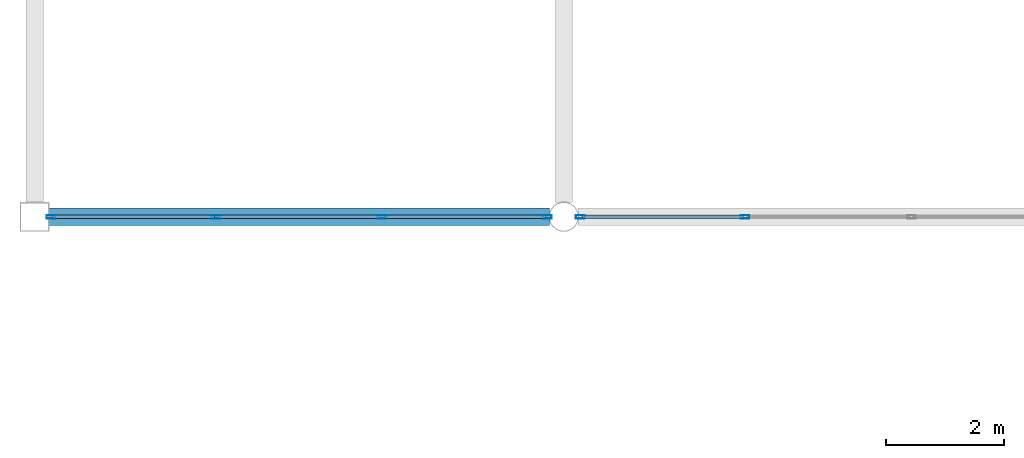
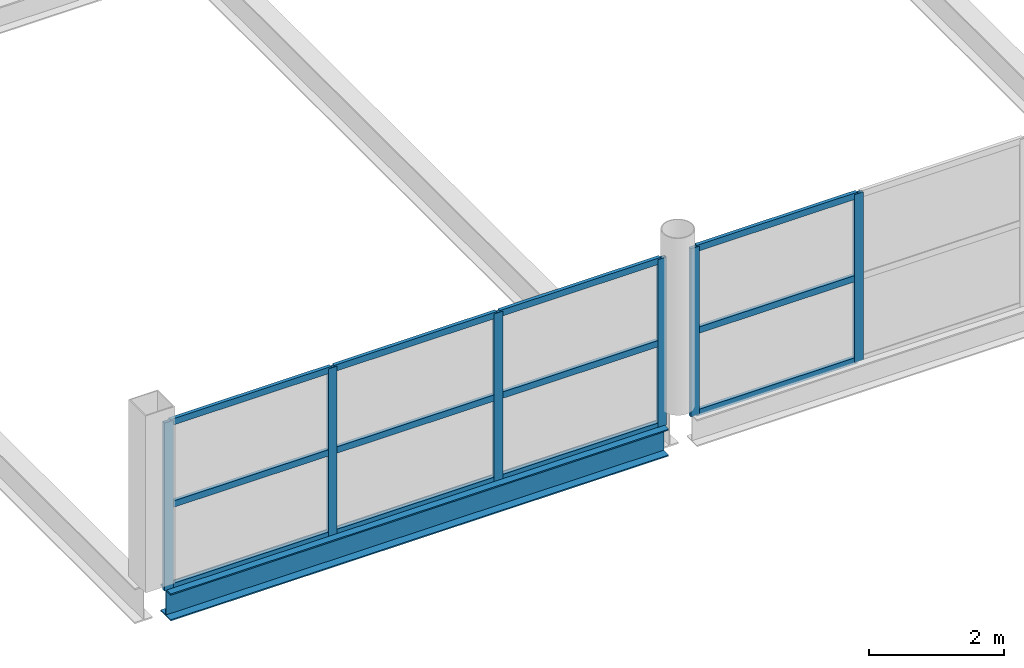
# One storey, part 21 of 134: 18 members, 1 beam, 2 elements without a shape of their own.
"""IFC4 building model written with IfcOpenShell, lengths in metres."""

from ifc_helpers import new_model, si_unit, direction, frame, origin, origin_2d, place, context, subcontext, project, spatial, hollow_rectangle, i_section, extrude, material, layer, layer_set, material_profile, profile_set, type_object, element, aggregate, save


model = new_model("IFC4")

# Units and contexts
model_context = context("Model", 3, precision=1e-05, world=origin(), true_north=direction((0.0, 1.0)))
body_context = subcontext(model_context, "Body", "Model", "MODEL_VIEW")
ifc_project = project(units=[si_unit("LENGTHUNIT", "METRE"), si_unit("AREAUNIT", "SQUARE_METRE"), si_unit("VOLUMEUNIT", "CUBIC_METRE"), si_unit("PLANEANGLEUNIT", "RADIAN"), si_unit("MASSUNIT", "GRAM", prefix="KILO")], contexts=[model_context])

# Site, building, storey
site_placement = place(None, origin())
site = spatial("IfcSite", under=ifc_project, at=site_placement, CompositionType="ELEMENT")
building_placement = place(site_placement, origin())
building = spatial("IfcBuilding", under=site, at=building_placement, Name="Tamarisk Ironworks Central Station", CompositionType="ELEMENT")
storey_placement = place(building_placement, frame((0.0, 0.0, 12.60009765625)))
storey = spatial("IfcBuildingStorey", under=building, at=storey_placement, Name="L02", CompositionType="ELEMENT", Elevation=12.60009765625)

# Beam
ifc_material_1 = material(Name="Structural steel S355J2", Category="steel")
ifc_material_profile_1 = material_profile(ifc_material_1, i_section(OverallWidth=0.300048828125, OverallDepth=0.489990234375, WebThickness=0.011962890625, FlangeThickness=0.02294921875, at=origin_2d()), Name="HEA 500")
ifc_profile_set_1 = profile_set([ifc_material_profile_1], Name="Structural steel S355J2")
beam_type = type_object("IfcBeamType", Name="BM-G05", PredefinedType="BEAM", material=ifc_profile_set_1)
beam_placement = place(storey_placement, frame((0.238037109375, 21.60009765625, -0.4951171875), z_axis=(1.0, 0.0, 0.0), x_axis=(0.0, 1.0, 0.0)))
element("IfcBeam", 1, at=beam_placement, inside=storey, type_object=beam_type, Name="L02 primary girder X-0306", PredefinedType="BEAM", context=body_context, shape_type="SweptSolid", body=[
    extrude(i_section(OverallWidth=0.300048828125, OverallDepth=0.489990234375, WebThickness=0.011962890625, FlangeThickness=0.02294921875, at=origin_2d()), origin(), (0.0, 0.0, 1.0), 8.52001953125),
])

# Curtain wall, members
ifc_material_2 = material(Name="Anodized aluminium alloy 6063-T6", Category="aluminium")
ifc_layer = layer(ifc_material_2, 0.179931640625)
ifc_layer_set = layer_set([ifc_layer], Name="Anodized aluminium alloy 6063-T6")
curtain_wall_type = type_object("IfcCurtainWallType", Name="CW-08", PredefinedType="USERDEFINED", material=ifc_layer_set)
curtain_wall_1_placement = place(storey_placement, origin())
curtain_wall_1 = element("IfcCurtainWall", 2, at=curtain_wall_1_placement, inside=storey, type_object=curtain_wall_type, Name="Train shed WS clerestory curtain wall 000", ObjectType="GLAZED CURTAIN WALL", PredefinedType="USERDEFINED")
ifc_material_profile_2 = material_profile(ifc_material_2, hollow_rectangle(XDim=0.06005859375, YDim=0.14990234375, WallThickness=0.00341796875, at=origin_2d()), Name="ALUM 150x60")
ifc_profile_set_2 = profile_set([ifc_material_profile_2], Name="Anodized aluminium alloy 6063-T6")
member_type_1 = type_object("IfcMemberType", Name="CWM-03", PredefinedType="MULLION", material=ifc_profile_set_2)
member_1_placement = place(storey_placement, frame((0.278076171875, 21.60009765625, -0.260009765625), z_axis=(0.0, 0.0, 1.0), x_axis=(0.0, 1.0, 0.0)))
member_1 = element("IfcMember", 3, at=member_1_placement, type_object=member_type_1, Name="CW08 mullion 1", PredefinedType="MULLION", context=body_context, shape_type="SweptSolid", body=[
    extrude(hollow_rectangle(XDim=0.06005859375, YDim=0.14990234375, WallThickness=0.00341796875, at=origin_2d()), origin(), (0.0, 0.0, 1.0), 3.039794921875),
])
member_2_placement = place(storey_placement, frame((3.081298828125, 21.60009765625, -0.260009765625), z_axis=(0.0, 0.0, 1.0), x_axis=(0.0, 1.0, 0.0)))
member_2 = element("IfcMember", 4, at=member_2_placement, type_object=member_type_1, Name="CW08 mullion 2", PredefinedType="MULLION", context=body_context, shape_type="SweptSolid", body=[
    extrude(hollow_rectangle(XDim=0.06005859375, YDim=0.14990234375, WallThickness=0.00341796875, at=origin_2d()), origin(), (0.0, 0.0, 1.0), 3.039794921875),
])
member_3_placement = place(storey_placement, frame((5.91455078125, 21.60009765625, -0.260009765625), z_axis=(0.0, 0.0, 1.0), x_axis=(0.0, 1.0, 0.0)))
member_3 = element("IfcMember", 5, at=member_3_placement, type_object=member_type_1, Name="CW08 mullion 3", PredefinedType="MULLION", context=body_context, shape_type="SweptSolid", body=[
    extrude(hollow_rectangle(XDim=0.06005859375, YDim=0.14990234375, WallThickness=0.00341796875, at=origin_2d()), origin(), (0.0, 0.0, 1.0), 3.039794921875),
])
member_4_placement = place(storey_placement, frame((8.718017578125, 21.60009765625, -0.260009765625), z_axis=(0.0, 0.0, 1.0), x_axis=(0.0, 1.0, 0.0)))
member_4 = element("IfcMember", 6, at=member_4_placement, type_object=member_type_1, Name="CW08 mullion 4", PredefinedType="MULLION", context=body_context, shape_type="SweptSolid", body=[
    extrude(hollow_rectangle(XDim=0.06005859375, YDim=0.14990234375, WallThickness=0.00341796875, at=origin_2d()), origin(), (0.0, 0.0, 1.0), 3.039794921875),
])

curtain_wall_2_placement = place(storey_placement, origin())
curtain_wall_2 = element("IfcCurtainWall", 7, at=curtain_wall_2_placement, inside=storey, type_object=curtain_wall_type, Name="Train shed WS clerestory curtain wall 009", ObjectType="GLAZED CURTAIN WALL", PredefinedType="USERDEFINED")
member_5_placement = place(storey_placement, frame((9.281982421875, 21.60009765625, -0.260009765625), z_axis=(0.0, 0.0, 1.0), x_axis=(0.0, 1.0, 0.0)))
member_5 = element("IfcMember", 8, at=member_5_placement, type_object=member_type_1, Name="CW08 mullion 1", PredefinedType="MULLION", context=body_context, shape_type="SweptSolid", body=[
    extrude(hollow_rectangle(XDim=0.06005859375, YDim=0.14990234375, WallThickness=0.00341796875, at=origin_2d()), origin(), (0.0, 0.0, 1.0), 3.039794921875),
])
member_6_placement = place(storey_placement, frame((12.083984375, 21.60009765625, -0.260009765625), z_axis=(0.0, 0.0, 1.0), x_axis=(0.0, 1.0, 0.0)))
member_6 = element("IfcMember", 9, at=member_6_placement, type_object=member_type_1, Name="CW08 mullion 2", PredefinedType="MULLION", context=body_context, shape_type="SweptSolid", body=[
    extrude(hollow_rectangle(XDim=0.06005859375, YDim=0.14990234375, WallThickness=0.00341796875, at=origin_2d()), origin(), (0.0, 0.0, 1.0), 3.039794921875),
])

# Member
ifc_material_profile_3 = material_profile(ifc_material_2, hollow_rectangle(XDim=0.06005859375, YDim=0.114990234375, WallThickness=0.00341796875, at=origin_2d()), Name="ALUM 115x60")
ifc_profile_set_3 = profile_set([ifc_material_profile_3], Name="Anodized aluminium alloy 6063-T6")
member_type_2 = type_object("IfcMemberType", Name="CWT-03", PredefinedType="USERDEFINED", material=ifc_profile_set_3)
member_7_placement = place(storey_placement, frame((0.303955078125, 21.60009765625, -0.22998046875), z_axis=(1.0, 0.0, 0.0), x_axis=(0.0, 1.0, 0.0)))
member_7 = element("IfcMember", 10, at=member_7_placement, type_object=member_type_2, Name="CW08 transom 1.1", ObjectType="TRANSOM", PredefinedType="USERDEFINED", context=body_context, shape_type="SweptSolid", body=[
    extrude(hollow_rectangle(XDim=0.06005859375, YDim=0.114990234375, WallThickness=0.00341796875, at=origin_2d()), origin(), (0.0, 0.0, 1.0), 2.75146484375),
])

member_8_placement = place(storey_placement, frame((0.303955078125, 21.60009765625, 1.260009765625), z_axis=(1.0, 0.0, 0.0), x_axis=(0.0, 1.0, 0.0)))
member_8 = element("IfcMember", 11, at=member_8_placement, type_object=member_type_2, Name="CW08 transom 1.2", ObjectType="TRANSOM", PredefinedType="USERDEFINED", context=body_context, shape_type="SweptSolid", body=[
    extrude(hollow_rectangle(XDim=0.06005859375, YDim=0.114990234375, WallThickness=0.00341796875, at=origin_2d()), origin(), (0.0, 0.0, 1.0), 2.75146484375),
])

member_9_placement = place(storey_placement, frame((0.303955078125, 21.60009765625, 2.75), z_axis=(1.0, 0.0, 0.0), x_axis=(0.0, 1.0, 0.0)))
member_9 = element("IfcMember", 12, at=member_9_placement, type_object=member_type_2, Name="CW08 transom 1.3", ObjectType="TRANSOM", PredefinedType="USERDEFINED", context=body_context, shape_type="SweptSolid", body=[
    extrude(hollow_rectangle(XDim=0.06005859375, YDim=0.114990234375, WallThickness=0.00341796875, at=origin_2d()), origin(), (0.0, 0.0, 1.0), 2.75146484375),
])

member_10_placement = place(storey_placement, frame((3.107421875, 21.60009765625, -0.22998046875), z_axis=(1.0, 0.0, 0.0), x_axis=(0.0, 1.0, 0.0)))
member_10 = element("IfcMember", 13, at=member_10_placement, type_object=member_type_2, Name="CW08 transom 2.1", ObjectType="TRANSOM", PredefinedType="USERDEFINED", context=body_context, shape_type="SweptSolid", body=[
    extrude(hollow_rectangle(XDim=0.06005859375, YDim=0.114990234375, WallThickness=0.00341796875, at=origin_2d()), origin(), (0.0, 0.0, 1.0), 2.78125),
])

member_11_placement = place(storey_placement, frame((3.107421875, 21.60009765625, 1.260009765625), z_axis=(1.0, 0.0, 0.0), x_axis=(0.0, 1.0, 0.0)))
member_11 = element("IfcMember", 14, at=member_11_placement, type_object=member_type_2, Name="CW08 transom 2.2", ObjectType="TRANSOM", PredefinedType="USERDEFINED", context=body_context, shape_type="SweptSolid", body=[
    extrude(hollow_rectangle(XDim=0.06005859375, YDim=0.114990234375, WallThickness=0.00341796875, at=origin_2d()), origin(), (0.0, 0.0, 1.0), 2.78125),
])

member_12_placement = place(storey_placement, frame((3.107421875, 21.60009765625, 2.75), z_axis=(1.0, 0.0, 0.0), x_axis=(0.0, 1.0, 0.0)))
member_12 = element("IfcMember", 15, at=member_12_placement, type_object=member_type_2, Name="CW08 transom 2.3", ObjectType="TRANSOM", PredefinedType="USERDEFINED", context=body_context, shape_type="SweptSolid", body=[
    extrude(hollow_rectangle(XDim=0.06005859375, YDim=0.114990234375, WallThickness=0.00341796875, at=origin_2d()), origin(), (0.0, 0.0, 1.0), 2.78125),
])

member_13_placement = place(storey_placement, frame((5.940673828125, 21.60009765625, -0.22998046875), z_axis=(1.0, 0.0, 0.0), x_axis=(0.0, 1.0, 0.0)))
member_13 = element("IfcMember", 16, at=member_13_placement, type_object=member_type_2, Name="CW08 transom 3.1", ObjectType="TRANSOM", PredefinedType="USERDEFINED", context=body_context, shape_type="SweptSolid", body=[
    extrude(hollow_rectangle(XDim=0.06005859375, YDim=0.114990234375, WallThickness=0.00341796875, at=origin_2d()), origin(), (0.0, 0.0, 1.0), 2.751220703125),
])

member_14_placement = place(storey_placement, frame((5.940673828125, 21.60009765625, 1.260009765625), z_axis=(1.0, 0.0, 0.0), x_axis=(0.0, 1.0, 0.0)))
member_14 = element("IfcMember", 17, at=member_14_placement, type_object=member_type_2, Name="CW08 transom 3.2", ObjectType="TRANSOM", PredefinedType="USERDEFINED", context=body_context, shape_type="SweptSolid", body=[
    extrude(hollow_rectangle(XDim=0.06005859375, YDim=0.114990234375, WallThickness=0.00341796875, at=origin_2d()), origin(), (0.0, 0.0, 1.0), 2.751220703125),
])

member_15_placement = place(storey_placement, frame((5.940673828125, 21.60009765625, 2.75), z_axis=(1.0, 0.0, 0.0), x_axis=(0.0, 1.0, 0.0)))
member_15 = element("IfcMember", 18, at=member_15_placement, type_object=member_type_2, Name="CW08 transom 3.3", ObjectType="TRANSOM", PredefinedType="USERDEFINED", context=body_context, shape_type="SweptSolid", body=[
    extrude(hollow_rectangle(XDim=0.06005859375, YDim=0.114990234375, WallThickness=0.00341796875, at=origin_2d()), origin(), (0.0, 0.0, 1.0), 2.751220703125),
])

aggregate(curtain_wall_1, [member_1, member_2, member_3, member_4, member_7, member_8, member_9, member_10, member_11, member_12, member_13, member_14, member_15])

member_16_placement = place(storey_placement, frame((9.30810546875, 21.60009765625, -0.22998046875), z_axis=(1.0, 0.0, 0.0), x_axis=(0.0, 1.0, 0.0)))
member_16 = element("IfcMember", 19, at=member_16_placement, type_object=member_type_2, Name="CW08 transom 1.1", ObjectType="TRANSOM", PredefinedType="USERDEFINED", context=body_context, shape_type="SweptSolid", body=[
    extrude(hollow_rectangle(XDim=0.06005859375, YDim=0.114990234375, WallThickness=0.00341796875, at=origin_2d()), origin(), (0.0, 0.0, 1.0), 2.75),
])

member_17_placement = place(storey_placement, frame((9.30810546875, 21.60009765625, 1.260009765625), z_axis=(1.0, 0.0, 0.0), x_axis=(0.0, 1.0, 0.0)))
member_17 = element("IfcMember", 20, at=member_17_placement, type_object=member_type_2, Name="CW08 transom 1.2", ObjectType="TRANSOM", PredefinedType="USERDEFINED", context=body_context, shape_type="SweptSolid", body=[
    extrude(hollow_rectangle(XDim=0.06005859375, YDim=0.114990234375, WallThickness=0.00341796875, at=origin_2d()), origin(), (0.0, 0.0, 1.0), 2.75),
])

member_18_placement = place(storey_placement, frame((9.30810546875, 21.60009765625, 2.75), z_axis=(1.0, 0.0, 0.0), x_axis=(0.0, 1.0, 0.0)))
member_18 = element("IfcMember", 21, at=member_18_placement, type_object=member_type_2, Name="CW08 transom 1.3", ObjectType="TRANSOM", PredefinedType="USERDEFINED", context=body_context, shape_type="SweptSolid", body=[
    extrude(hollow_rectangle(XDim=0.06005859375, YDim=0.114990234375, WallThickness=0.00341796875, at=origin_2d()), origin(), (0.0, 0.0, 1.0), 2.75),
])

aggregate(curtain_wall_2, [member_5, member_6, member_16, member_17, member_18])

save(model, "model.ifc")
